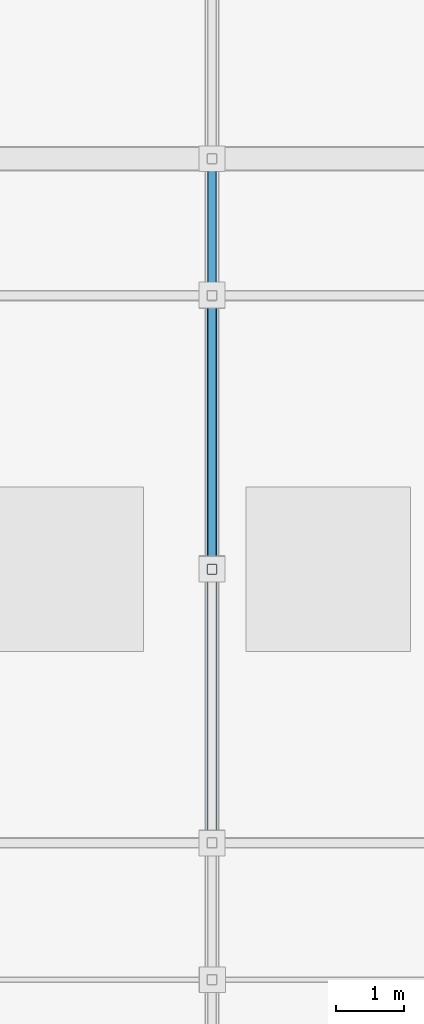
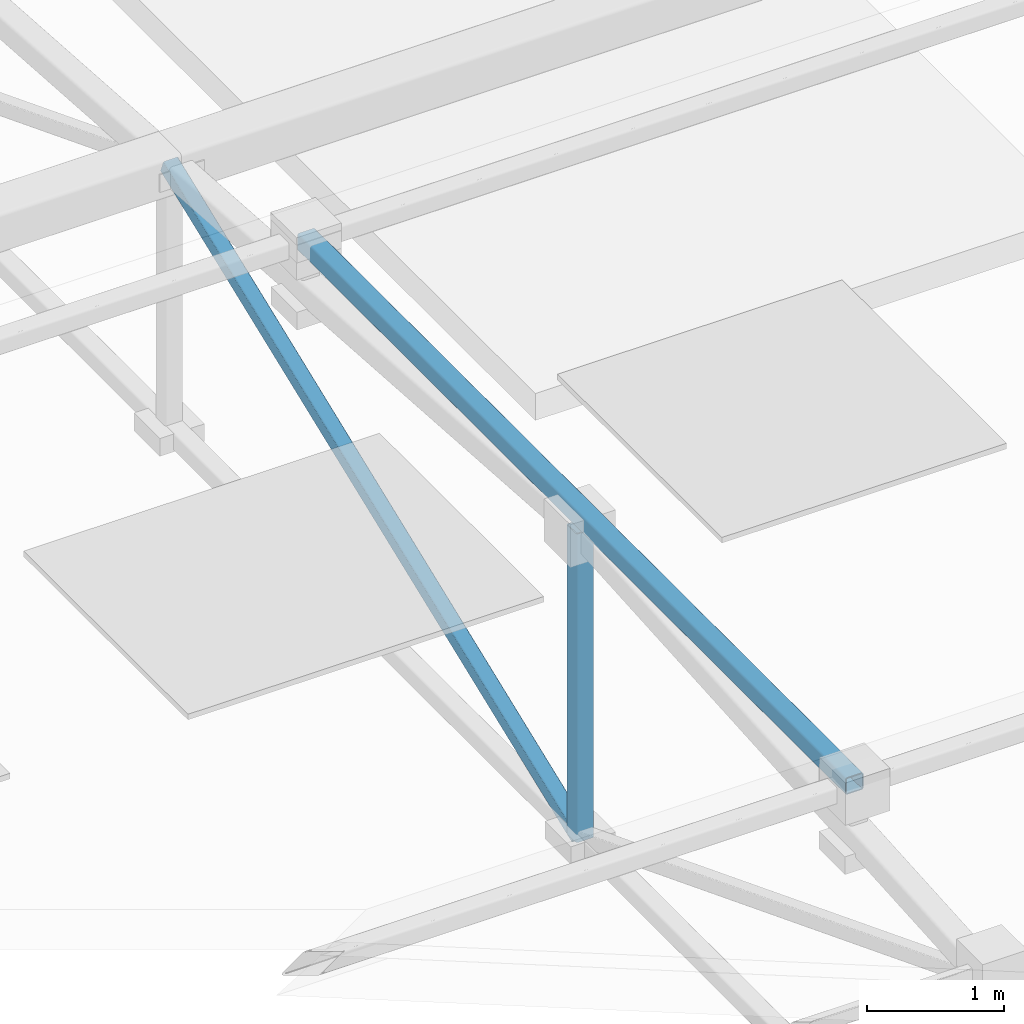
# One storey, part 28 of 85: 2 members, 1 beam.
"""IFC4 building model written with IfcOpenShell, lengths in metres."""

from ifc_helpers import new_model, si_unit, direction, frame, origin, origin_2d, place, context, subcontext, project, spatial, hollow_rectangle, extrude, material, material_profile, profile_set, type_object, element, save


model = new_model("IFC4")

# Units and contexts
model_context = context("Model", 3, precision=1e-05, world=origin(), true_north=direction((0.0, 1.0)))
body_context = subcontext(model_context, "Body", "Model", "MODEL_VIEW")
ifc_project = project(units=[si_unit("LENGTHUNIT", "METRE"), si_unit("AREAUNIT", "SQUARE_METRE"), si_unit("VOLUMEUNIT", "CUBIC_METRE"), si_unit("PLANEANGLEUNIT", "RADIAN"), si_unit("MASSUNIT", "GRAM", prefix="KILO"), si_unit("THERMODYNAMICTEMPERATUREUNIT", "KELVIN"), si_unit("POWERUNIT", "WATT")], contexts=[model_context])

# Site, building, storey
site_placement = place(None, origin())
site = spatial("IfcSite", under=ifc_project, at=site_placement, CompositionType="ELEMENT")
building_placement = place(site_placement, origin())
building = spatial("IfcBuilding", under=site, at=building_placement, Name="Zelmaris Science Centre", CompositionType="ELEMENT")
storey_placement = place(building_placement, frame((0.0, 0.0, 20.39990234375)))
storey = spatial("IfcBuildingStorey", under=building, at=storey_placement, Name="L04", CompositionType="ELEMENT", Elevation=20.39990234375)

# Beam
ifc_material = material(Name="Steel ASTM A500 Grade C", Category="steel")
ifc_material_profile_1 = material_profile(ifc_material, hollow_rectangle(XDim=0.15234375, YDim=0.15234375, WallThickness=0.0087890625, InnerFilletRadius=0.0087890625, OuterFilletRadius=0.017822265625, at=origin_2d()), Name="HSS152X152X10")
ifc_profile_set_1 = profile_set([ifc_material_profile_1], Name="Steel ASTM A500 Grade C")
beam_type = type_object("IfcBeamType", Name="Beam G-21 HSS152X152X10", PredefinedType="BEAM", material=ifc_profile_set_1)
beam_placement = place(storey_placement, frame((126.0, 28.0, 3.830078125), z_axis=(0.0, 1.0, 0.0), x_axis=(-1.0, 0.0, 0.0)))
element("IfcBeam", 1, at=beam_placement, inside=storey, type_object=beam_type, Name="RF-V4 Lantern transverse header 3", PredefinedType="BEAM", context=body_context, shape_type="SweptSolid", body=[
    extrude(hollow_rectangle(XDim=0.15234375, YDim=0.15234375, WallThickness=0.0087890625, InnerFilletRadius=0.0087890625, OuterFilletRadius=0.017822265625, at=origin_2d()), origin(), (0.0, 0.0, 1.0), 8.0),
])

# Members
ifc_material_profile_2 = material_profile(ifc_material, hollow_rectangle(XDim=0.15234375, YDim=0.15234375, WallThickness=0.0087890625, InnerFilletRadius=0.0087890625, OuterFilletRadius=0.017822265625, at=origin_2d()), Name="HSS152X152X10")
ifc_profile_set_2 = profile_set([ifc_material_profile_2], Name="Steel ASTM A500 Grade C")
member_type_1 = type_object("IfcMemberType", Name="Structural Brace BR-03 HSS152X152X10", PredefinedType="BRACE", material=ifc_profile_set_2)
member_1_placement = place(storey_placement, frame((126.0, 32.0, 0.947998046875), z_axis=(0.0, 0.0, 1.0), x_axis=(1.0, 0.0, 0.0)))
element("IfcMember", 2, at=member_1_placement, inside=storey, type_object=member_type_1, Name="RF-V4 Roof truss 3 vertical web 4", PredefinedType="BRACE", context=body_context, shape_type="SweptSolid", body=[
    extrude(hollow_rectangle(XDim=0.15234375, YDim=0.15234375, WallThickness=0.0087890625, InnerFilletRadius=0.0087890625, OuterFilletRadius=0.017822265625, at=origin_2d()), origin(), (0.0, 0.0, 1.0), 2.75),
])
ifc_material_profile_3 = material_profile(ifc_material, hollow_rectangle(XDim=0.126953125, YDim=0.126953125, WallThickness=0.00732421875, InnerFilletRadius=0.00732421875, OuterFilletRadius=0.014892578125, at=origin_2d()), Name="HSS127X127X8")
ifc_profile_set_3 = profile_set([ifc_material_profile_3], Name="Steel ASTM A500 Grade C")
member_type_2 = type_object("IfcMemberType", Name="Structural Brace BR-04 HSS127X127X8", PredefinedType="BRACE", material=ifc_profile_set_3)
member_2_placement = place(storey_placement, frame((126.0, 32.0, 0.947998046875), z_axis=(0.0, 0.93179104927, 0.362995097075), x_axis=(-1.0, 0.0, 0.0)))
element("IfcMember", 3, at=member_2_placement, inside=storey, type_object=member_type_2, Name="RF-V4 Roof truss 3 web diagonal 5", PredefinedType="BRACE", context=body_context, shape_type="SweptSolid", body=[
    extrude(hollow_rectangle(XDim=0.126953125, YDim=0.126953125, WallThickness=0.00732421875, InnerFilletRadius=0.00732421875, OuterFilletRadius=0.014892578125, at=origin_2d()), origin(), (0.0, 0.0, 1.0), 6.439208984375),
])

save(model, "model.ifc")
